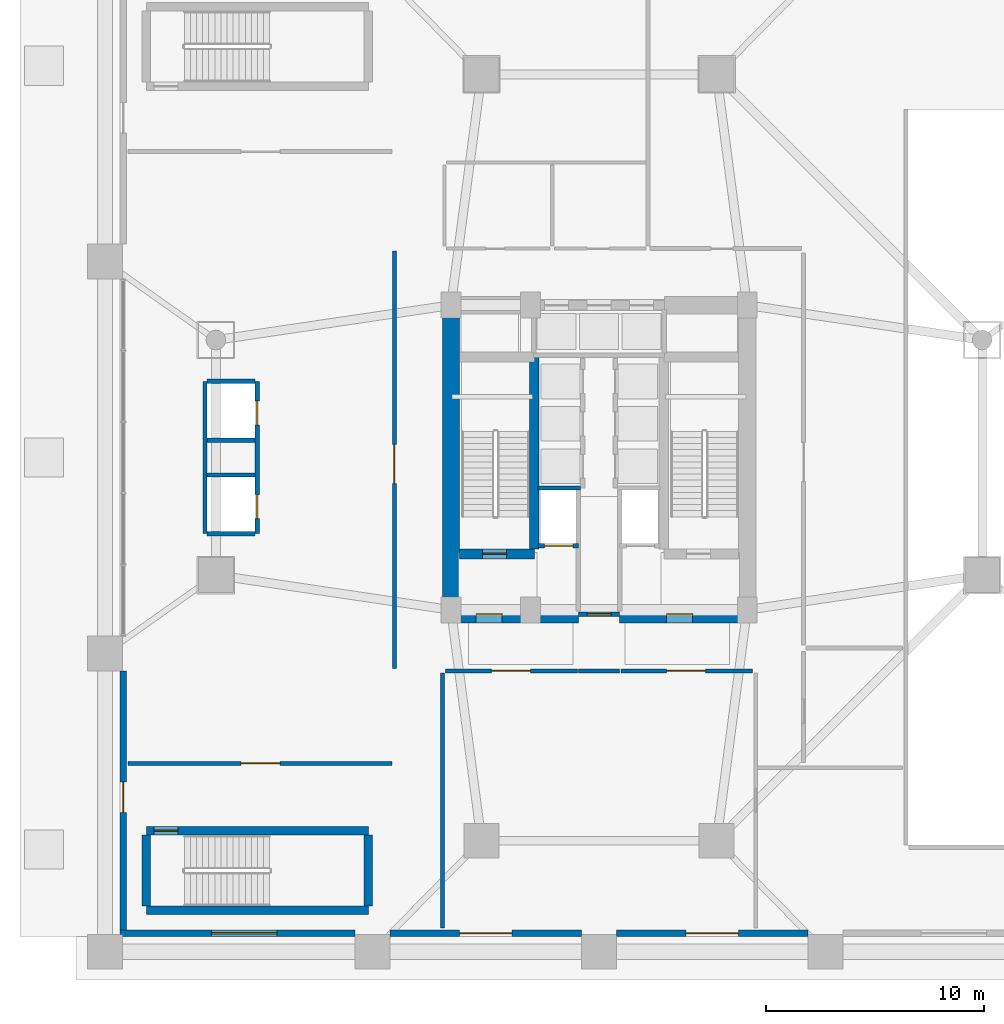
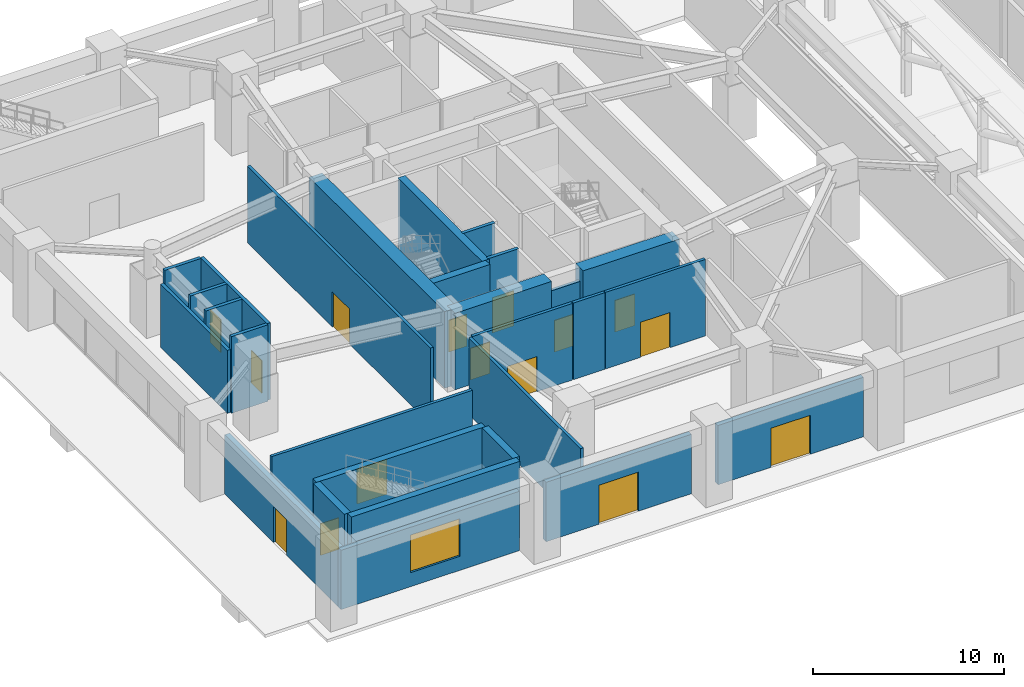
# One storey, part 18 of 27: 28 walls, 15 doors, 1 window, 16 openings.
"""IFC4 building model written with IfcOpenShell, lengths in metres."""

import ifcopenshell
import ifcopenshell.guid

model = None  # the IFC model being written
_history = None  # IfcOwnerHistory: only IFC2X3 demands one
_inside = {}  # id of a spatial element -> (the spatial element, [elements in it])
_under = {}  # id of a project, library or spatial element -> (it, [spatial elements below it])
_declared = {}  # id of a project -> (the project, [libraries it declares])
_typed = {}  # id of a type object -> (the type object, [elements of that type])
_made_of = {}  # id of a material, layer set ... -> (it, [elements and type objects made of it])


def new_model(schema):
    """Start an empty IFC model of exactly this schema.

    Asked for "IFC4X3", IfcOpenShell would pick the latest addendum, in which some entities
    have other attributes; the version numbers below select the first issue.
    IFC2X3 requires an IfcOwnerHistory on every rooted entity: one is made here for all.
    """
    global model, _history
    if schema == "IFC4X3":
        model = ifcopenshell.file(schema_version=(4, 3, 0, 0))
    else:
        model = ifcopenshell.file(schema=schema)
    _inside.clear()
    _under.clear()
    _declared.clear()
    _typed.clear()
    _made_of.clear()
    _history = None
    if model.schema == "IFC2X3":
        org = make("IfcOrganization", Name="unknown")
        user = make(
            "IfcPersonAndOrganization",
            ThePerson=make("IfcPerson", FamilyName="unknown"),
            TheOrganization=org,
        )
        app = make(
            "IfcApplication",
            ApplicationDeveloper=org,
            Version="unknown",
            ApplicationFullName="unknown",
            ApplicationIdentifier="unknown",
        )
        _history = make(
            "IfcOwnerHistory",
            OwningUser=user,
            OwningApplication=app,
            ChangeAction="ADDED",
            CreationDate=0,
        )
    return model


def make(cls, **values):
    """One entity of the class cls with the attributes given. An attribute that is None is left unset."""
    return model.create_entity(
        cls, **{name: value for name, value in values.items() if value is not None}
    )


def rooted(cls, **values):
    """An entity with a GlobalId (a new one), such as an element, a storey or a relation."""
    return make(cls, GlobalId=ifcopenshell.guid.new(), OwnerHistory=_history, **values)


def si_unit(unit_type, name, prefix=None):
    """IfcSIUnit, for example si_unit("LENGTHUNIT", "METRE", prefix="MILLI")."""
    return make("IfcSIUnit", UnitType=unit_type, Prefix=prefix, Name=name)


def assignment(units):
    """IfcUnitAssignment: the units of a project."""
    return None if units is None else make("IfcUnitAssignment", Units=units)


def point(xyz):
    """IfcCartesianPoint."""
    return None if xyz is None else make("IfcCartesianPoint", Coordinates=xyz)


def direction(xyz):
    """IfcDirection."""
    return None if xyz is None else make("IfcDirection", DirectionRatios=xyz)


def frame(location, z_axis=None, x_axis=None):
    """IfcAxis2Placement3D, a coordinate frame: its origin and axes. An axis left out is left unset."""
    return make(
        "IfcAxis2Placement3D",
        Location=point(location),
        Axis=direction(z_axis),
        RefDirection=direction(x_axis),
    )


def frame_2d(location, x_axis=None):
    """IfcAxis2Placement2D, a coordinate frame in the plane: its origin and x axis."""
    return make(
        "IfcAxis2Placement2D", Location=point(location), RefDirection=direction(x_axis)
    )


def origin():
    """The frame at (0, 0, 0) with its axes left unset."""
    return frame((0.0, 0.0, 0.0))


def place(relative_to, where):
    """IfcLocalPlacement: puts the frame where relative to a parent placement (None: the world)."""
    return make(
        "IfcLocalPlacement", PlacementRelTo=relative_to, RelativePlacement=where
    )


def context(
    kind, dimensions, precision=None, world=None, true_north=None, identifier=None
):
    """IfcGeometricRepresentationContext, for example the 3D "Model" context."""
    return make(
        "IfcGeometricRepresentationContext",
        ContextIdentifier=identifier,
        ContextType=kind,
        CoordinateSpaceDimension=dimensions,
        Precision=precision,
        WorldCoordinateSystem=world,
        TrueNorth=true_north,
    )


def subcontext(parent, identifier, kind, view, scale=None):
    """IfcGeometricRepresentationSubContext, for example "Body" below "Model"."""
    return make(
        "IfcGeometricRepresentationSubContext",
        ContextIdentifier=identifier,
        ContextType=kind,
        ParentContext=parent,
        TargetScale=scale,
        TargetView=view,
    )


def project(units=None, contexts=None):
    """IfcProject with its units and contexts."""
    return rooted(
        "IfcProject",
        Name="project",
        RepresentationContexts=contexts,
        UnitsInContext=assignment(units),
    )


def spatial(cls, under=None, at=None, **own):
    """A site, building, storey or space (cls), placed at a placement, below another one or the project."""
    s = rooted(cls, ObjectPlacement=at, **own)
    if under is not None:
        _under.setdefault(under.id(), (under, []))[1].append(s)
    return s


def profile(cls, at=None, kind="AREA", **sizes):
    """A parametric profile (cls). Its sizes go by their IFC names, for example OverallWidth=200.0."""
    return make(cls, ProfileType=kind, Position=at, **sizes)


def rectangle(**sizes):
    """IfcRectangleProfileDef."""
    return profile("IfcRectangleProfileDef", **sizes)


def extrude(swept, where, along, depth):
    """IfcExtrudedAreaSolid: the profile swept, set in the frame where, extruded along a direction by depth."""
    return make(
        "IfcExtrudedAreaSolid",
        SweptArea=swept,
        Position=where,
        ExtrudedDirection=direction(along),
        Depth=depth,
    )


def shape(context_of_items, identifier, shape_type, items):
    """IfcShapeRepresentation: the items that make up one representation, for example the "Body"."""
    return make(
        "IfcShapeRepresentation",
        ContextOfItems=context_of_items,
        RepresentationIdentifier=identifier,
        RepresentationType=shape_type,
        Items=items,
    )


def source(mapping_origin, context_of_items, identifier, shape_type, items):
    """IfcRepresentationMap: a shape defined once, which mapped items show again and again."""
    return make(
        "IfcRepresentationMap",
        MappingOrigin=mapping_origin,
        MappedRepresentation=shape(context_of_items, identifier, shape_type, items),
    )


def transform(
    local_origin,
    x_axis=None,
    y_axis=None,
    z_axis=None,
    scale=None,
    scale2=None,
    scale3=None,
    uniform=True,
):
    """IfcCartesianTransformationOperator3D, or its non-uniform kind. x_axis, y_axis, z_axis: its Axis1, 2, 3."""
    if uniform:
        return make(
            "IfcCartesianTransformationOperator3D",
            Axis1=direction(x_axis),
            Axis2=direction(y_axis),
            LocalOrigin=point(local_origin),
            Scale=scale,
            Axis3=direction(z_axis),
        )
    return make(
        "IfcCartesianTransformationOperator3DnonUniform",
        Axis1=direction(x_axis),
        Axis2=direction(y_axis),
        LocalOrigin=point(local_origin),
        Scale=scale,
        Axis3=direction(z_axis),
        Scale2=scale2,
        Scale3=scale3,
    )


def mapped(mapping_source, mapping_target):
    """IfcMappedItem: shows the shape of a source again, moved by a transform."""
    return make(
        "IfcMappedItem", MappingSource=mapping_source, MappingTarget=mapping_target
    )


def material(Name=None, Category=None):
    """IfcMaterial."""
    return make("IfcMaterial", Name=Name, Category=Category)


def layer(
    of_material, thickness, ventilated=None, Name=None, Category=None, Priority=None
):
    """IfcMaterialLayer: one layer of a wall or slab, of a material (None: an air gap)."""
    return make(
        "IfcMaterialLayer",
        Material=of_material,
        LayerThickness=thickness,
        IsVentilated=ventilated,
        Name=Name,
        Category=Category,
        Priority=Priority,
    )


def layer_set(layers, Name=None):
    """IfcMaterialLayerSet."""
    return make("IfcMaterialLayerSet", MaterialLayers=layers, LayerSetName=Name)


def made_of(thing, what):
    """Note that an element or type object is made of a material, layer set ...; save() writes the relation."""
    if what is not None:
        _made_of.setdefault(what.id(), (what, []))[1].append(thing)
    return thing


def type_object(cls, material=None, **own):
    """A type object (cls), such as IfcWallType, which elements share."""
    return made_of(rooted(cls, **own), material)


def element(
    cls,
    number,
    at=None,
    inside=None,
    cuts=None,
    type_object=None,
    material=None,
    context=None,
    identifier="Body",
    shape_type=None,
    held_by="IfcProductDefinitionShape",
    body=None,
    shapes=None,
    **own,
):
    """One element of the class cls, such as IfcWall. Its Tag is "e" and its number.

    at: its placement. inside: the storey or other place that contains it. cuts: it is an
    opening in that element (IfcRelVoidsElement). A single representation is given by context,
    identifier, shape_type and body (its items); several are given by shapes. held_by: the class
    of the entity that holds the representations. save() writes the other relations.
    """
    e = rooted(cls, Tag="e%d" % number, ObjectPlacement=at, **own)
    if body is not None:
        shapes = [shape(context, identifier, shape_type, body)]
    if shapes is not None:
        e.Representation = make(held_by, Representations=shapes)
    if inside is not None:
        _inside.setdefault(inside.id(), (inside, []))[1].append(e)
    if cuts is not None:
        rooted(
            "IfcRelVoidsElement", RelatingBuildingElement=cuts, RelatedOpeningElement=e
        )
    if type_object is not None:
        _typed.setdefault(type_object.id(), (type_object, []))[1].append(e)
    return made_of(e, material)


def fill(opening, filler):
    """IfcRelFillsElement: the door or window that sits in an opening."""
    return rooted(
        "IfcRelFillsElement",
        RelatingOpeningElement=opening,
        RelatedBuildingElement=filler,
    )


def aggregate(whole, parts):
    """IfcRelAggregates: a whole, such as a stair, and the parts it consists of."""
    return rooted("IfcRelAggregates", RelatingObject=whole, RelatedObjects=parts)


def save(model, path):
    """Write the relations noted so far, then the file.

    IfcRelAggregates (storeys below a building ...), IfcRelContainedInSpatialStructure (elements
    in a storey), IfcRelDefinesByType, IfcRelAssociatesMaterial and IfcRelDeclares: one each for
    every whole, place, type object, material and project.
    """
    for whole, parts in _under.values():
        aggregate(whole, parts)
    for where, things in _inside.values():
        rooted(
            "IfcRelContainedInSpatialStructure",
            RelatedElements=things,
            RelatingStructure=where,
        )
    for kind, things in _typed.values():
        rooted("IfcRelDefinesByType", RelatedObjects=things, RelatingType=kind)
    for what, things in _made_of.values():
        rooted("IfcRelAssociatesMaterial", RelatedObjects=things, RelatingMaterial=what)
    for by, libraries in _declared.values():
        rooted("IfcRelDeclares", RelatingContext=by, RelatedDefinitions=libraries)
    model.write(path)


model = new_model("IFC4")

# Units and contexts
model_context = context("Model", 3, precision=1e-05, world=origin(), true_north=direction((0.0, 1.0)))
body_context = subcontext(model_context, "Body", "Model", "MODEL_VIEW")
ifc_project = project(units=[si_unit("LENGTHUNIT", "METRE"), si_unit("AREAUNIT", "SQUARE_METRE"), si_unit("VOLUMEUNIT", "CUBIC_METRE"), si_unit("PLANEANGLEUNIT", "RADIAN"), si_unit("MASSUNIT", "GRAM", prefix="KILO")], contexts=[model_context])

# Site, building, storey
site_placement = place(None, origin())
site = spatial("IfcSite", under=ifc_project, at=site_placement, CompositionType="ELEMENT")
building_placement = place(site_placement, origin())
building = spatial("IfcBuilding", under=site, at=building_placement, Name="Veraguas Prism Commons", CompositionType="ELEMENT")
storey_placement = place(building_placement, origin())
storey = spatial("IfcBuildingStorey", under=building, at=storey_placement, Name="L00", CompositionType="ELEMENT", Elevation=0.0)

# Wall
ifc_material_1 = material(Name="Concrete C50/60", Category="concrete")
ifc_layer_1 = layer(ifc_material_1, 0.39990234375, Name="Clinic and Mid Core Shear Wall RC 400", Category="concrete")
ifc_layer_set_1 = layer_set([ifc_layer_1], Name="Concrete C50/60")
wall_type_1 = type_object("IfcWallType", Name="Clinic and Mid Core Shear Wall RC 400", PredefinedType="SHEAR", material=ifc_layer_set_1)
wall_1_placement = place(storey_placement, frame((3.199951171875, 3.199951171875, 0.0), z_axis=(0.0, 0.0, 1.0), x_axis=(1.0, 0.0, 0.0)))
element("IfcWall", 1, at=wall_1_placement, inside=storey, type_object=wall_type_1, Name="ST-M1 South Shear Wall L00", PredefinedType="SHEAR", context=body_context, shape_type="SweptSolid", body=[
    extrude(rectangle(XDim=10.199951171875, YDim=0.39990234375, at=frame_2d((5.10009765625, 0.0))), origin(), (0.0, 0.0, 1.0), 4.89990234375),
])

# Wall, opening, door
wall_2_placement = place(storey_placement, frame((3.199951171875, 6.85009765625, 0.0), z_axis=(0.0, 0.0, 1.0), x_axis=(1.0, 0.0, 0.0)))
wall_2 = element("IfcWall", 2, at=wall_2_placement, inside=storey, type_object=wall_type_1, Name="ST-M1 North Shear Wall L00", PredefinedType="SHEAR", context=body_context, shape_type="SweptSolid", body=[
    extrude(rectangle(XDim=10.199951171875, YDim=0.39990234375, at=frame_2d((5.10009765625, 0.0))), origin(), (0.0, 0.0, 1.0), 4.89990234375),
])
opening_1_placement = place(wall_2_placement, frame((0.35009765625, 0.0, 0.0)))
opening_1 = element("IfcOpeningElement", 3, at=opening_1_placement, cuts=wall_2, Name="Opening DR-05", PredefinedType="OPENING", context=body_context, shape_type="SweptSolid", body=[
    extrude(rectangle(XDim=1.10009765625, YDim=2.030029296875, at=frame_2d((0.550048828125, 1.01513671875))), frame((0.0, 0.2099609375, 0.0), z_axis=(0.0, -1.0, 0.0), x_axis=(1.0, 0.0, 0.0)), (0.0, 0.0, 1.0), 0.419921875),
])
ifc_material_2 = material(Name="Steel fire-rated door assembly", Category="steel")
door_type_1 = type_object("IfcDoorType", Name="Protected Stair and Refuge Fire Door 1100x2030", OperationType="NOTDEFINED", PredefinedType="DOOR", material=ifc_material_2)
shared_shape_1 = source(origin(), body_context, "Body", "SweptSolid", [
    extrude(rectangle(XDim=1.10009765625, YDim=2.030029296875, at=frame_2d((0.550048828125, 1.01513671875))), frame((0.0, 0.02490234375, 0.0), z_axis=(0.0, -1.0, 0.0), x_axis=(1.0, 0.0, 0.0)), (0.0, 0.0, 1.0), 0.050048828125),
])
door_1_placement = place(opening_1_placement, origin())
door_1 = element("IfcDoor", 4, at=door_1_placement, inside=storey, type_object=door_type_1, Name="Metro Stair ST-M1 Door L00", OperationType="SINGLE_SWING_LEFT", OverallHeight=2.030029296875, OverallWidth=1.10009765625, PredefinedType="DOOR", context=body_context, shape_type="MappedRepresentation", body=[
    mapped(shared_shape_1, transform((0.0, 0.0, 0.0), scale=1.0)),
])
fill(opening_1, door_1)

# Walls
for number, where, z_axis, x_axis, name in (
    (5, (3.199951171875, 3.39990234375, 0.0), (0.0, 0.0, 1.0), (0.0, 1.0, 0.0), "ST-M1 West Shear Wall L00"),
    (6, (13.39990234375, 3.39990234375, 0.0), (0.0, 0.0, 1.0), (0.0, 1.0, 0.0), "ST-M1 East Shear Wall L00"),
):
    element("IfcWall", number, at=place(storey_placement, frame(where, z_axis=z_axis, x_axis=x_axis)), inside=storey, type_object=wall_type_1, Name=name, PredefinedType="SHEAR", context=body_context, shape_type="SweptSolid", body=[
        extrude(rectangle(XDim=3.25, YDim=0.39990234375, at=frame_2d((1.625, 0.0))), origin(), (0.0, 0.0, 1.0), 4.89990234375),
    ])

# Wall, opening, door
ifc_material_3 = material(Name="Concrete C60/75", Category="concrete")
ifc_layer_2 = layer(ifc_material_3, 0.449951171875, Name="Core Internal Shear Wall Lower RC 450", Category="concrete")
ifc_layer_set_2 = layer_set([ifc_layer_2], Name="Concrete C60/75")
wall_type_2 = type_object("IfcWallType", Name="Core Internal Shear Wall Lower RC 450", PredefinedType="SHEAR", material=ifc_layer_set_2)
wall_3_placement = place(storey_placement, frame((17.60009765625, 19.574951171875, 0.0), z_axis=(0.0, 0.0, 1.0), x_axis=(1.0, 0.0, 0.0)))
wall_3 = element("IfcWall", 7, at=wall_3_placement, inside=storey, type_object=wall_type_2, Name="Stair ST-01 South Shear Wall L00", PredefinedType="SHEAR", context=body_context, shape_type="SweptSolid", body=[
    extrude(rectangle(XDim=3.4248046875, YDim=0.449951171875, at=frame_2d((1.71240234375, 0.0))), origin(), (0.0, 0.0, 1.0), 4.89990234375),
])
opening_2_placement = place(wall_3_placement, frame((1.050048828125, 0.0, 0.0)))
opening_2 = element("IfcOpeningElement", 8, at=opening_2_placement, cuts=wall_3, Name="Opening DR-05", PredefinedType="OPENING", context=body_context, shape_type="SweptSolid", body=[
    extrude(rectangle(XDim=1.10009765625, YDim=2.030029296875, at=frame_2d((0.550048828125, 1.01513671875))), frame((0.0, 0.23486328125, 0.0), z_axis=(0.0, -1.0, 0.0), x_axis=(1.0, 0.0, 0.0)), (0.0, 0.0, 1.0), 0.469970703125),
])
door_2_placement = place(opening_2_placement, origin())
door_2 = element("IfcDoor", 9, at=door_2_placement, inside=storey, type_object=door_type_1, Name="Stair ST-01 Enclosure Door L00", OperationType="SINGLE_SWING_LEFT", OverallHeight=2.030029296875, OverallWidth=1.10009765625, PredefinedType="DOOR", context=body_context, shape_type="MappedRepresentation", body=[
    mapped(shared_shape_1, transform((0.0, 0.0, 0.0), scale=1.0)),
])
fill(opening_2, door_2)

# Walls
wall_4_placement = place(storey_placement, frame((21.02490234375, 19.800048828125, 0.0), z_axis=(0.0, 0.0, 1.0), x_axis=(0.0, 1.0, 0.0)))
element("IfcWall", 10, at=wall_4_placement, inside=storey, type_object=wall_type_2, Name="Stair ST-01 Inner Shear Wall L00", PredefinedType="SHEAR", context=body_context, shape_type="SweptSolid", body=[
    extrude(rectangle(XDim=8.824951171875, YDim=0.449951171875, at=frame_2d((4.41259765625, 0.0))), origin(), (0.0, 0.0, 1.0), 4.89990234375),
])
ifc_layer_3 = layer(ifc_material_3, 0.800048828125, Name="Core Outer Shear Wall Lower RC 800", Category="concrete")
ifc_layer_set_3 = layer_set([ifc_layer_3], Name="Concrete C60/75")
wall_type_3 = type_object("IfcWallType", Name="Core Outer Shear Wall Lower RC 800", PredefinedType="SHEAR", material=ifc_layer_set_3)
wall_5_placement = place(storey_placement, frame((17.199951171875, 16.800048828125, 0.0), z_axis=(0.0, 0.0, 1.0), x_axis=(0.0, 1.0, 0.0)))
element("IfcWall", 11, at=wall_5_placement, inside=storey, type_object=wall_type_3, Name="Central Core West Shear Wall L00", PredefinedType="SHEAR", context=body_context, shape_type="SweptSolid", body=[
    extrude(rectangle(XDim=14.199951171875, YDim=0.800048828125, at=frame_2d((7.10009765625, 0.0))), origin(), (0.0, 0.0, 1.0), 4.89990234375),
])

# Wall, opening, door
wall_6_placement = place(storey_placement, frame((17.199951171875, 16.800048828125, 0.0), z_axis=(0.0, 0.0, 1.0), x_axis=(1.0, 0.0, 0.0)))
wall_6 = element("IfcWall", 12, at=wall_6_placement, inside=storey, type_object=wall_type_3, Name="Central Core South-West Shear Wall L00", PredefinedType="SHEAR", context=body_context, shape_type="SweptSolid", body=[
    extrude(rectangle(XDim=5.85009765625, YDim=0.800048828125, at=frame_2d((2.925048828125, 0.0))), origin(), (0.0, 0.0, 1.0), 4.89990234375),
])
opening_3_placement = place(wall_6_placement, frame((1.14990234375, 0.0, 0.0)))
opening_3 = element("IfcOpeningElement", 13, at=opening_3_placement, cuts=wall_6, Name="Opening DR-06", PredefinedType="OPENING", context=body_context, shape_type="SweptSolid", body=[
    extrude(rectangle(XDim=1.199951171875, YDim=2.030029296875, at=frame_2d((0.60009765625, 1.01513671875))), frame((0.0, 0.409912109375, 0.0), z_axis=(0.0, -1.0, 0.0), x_axis=(1.0, 0.0, 0.0)), (0.0, 0.0, 1.0), 0.820068359375),
])
door_type_2 = type_object("IfcDoorType", Name="Firefighting Lobby Smoke Door 1200x2030", OperationType="NOTDEFINED", PredefinedType="DOOR", material=ifc_material_2)
shared_shape_2 = source(origin(), body_context, "Body", "SweptSolid", [
    extrude(rectangle(XDim=1.199951171875, YDim=2.030029296875, at=frame_2d((0.60009765625, 1.01513671875))), frame((0.0, 0.02490234375, 0.0), z_axis=(0.0, -1.0, 0.0), x_axis=(1.0, 0.0, 0.0)), (0.0, 0.0, 1.0), 0.050048828125),
])
door_3_placement = place(opening_3_placement, origin())
door_3 = element("IfcDoor", 14, at=door_3_placement, inside=storey, type_object=door_type_2, Name="West FF Lobby Door L00", OperationType="SINGLE_SWING_RIGHT", OverallHeight=2.030029296875, OverallWidth=1.199951171875, PredefinedType="DOOR", context=body_context, shape_type="MappedRepresentation", body=[
    mapped(shared_shape_2, transform((0.0, 0.0, 0.0), scale=1.0)),
])
fill(opening_3, door_3)

wall_7_placement = place(storey_placement, frame((24.949951171875, 16.800048828125, 0.0), z_axis=(0.0, 0.0, 1.0), x_axis=(1.0, 0.0, 0.0)))
wall_7 = element("IfcWall", 15, at=wall_7_placement, inside=storey, type_object=wall_type_3, Name="Central Core South-East Shear Wall L00", PredefinedType="SHEAR", context=body_context, shape_type="SweptSolid", body=[
    extrude(rectangle(XDim=5.85009765625, YDim=0.800048828125, at=frame_2d((2.925048828125, 0.0))), origin(), (0.0, 0.0, 1.0), 4.89990234375),
])
opening_4_placement = place(wall_7_placement, frame((2.14990234375, 0.0, 0.0)))
opening_4 = element("IfcOpeningElement", 16, at=opening_4_placement, cuts=wall_7, Name="Opening DR-06", PredefinedType="OPENING", context=body_context, shape_type="SweptSolid", body=[
    extrude(rectangle(XDim=1.199951171875, YDim=2.030029296875, at=frame_2d((0.60009765625, 1.01513671875))), frame((0.0, 0.409912109375, 0.0), z_axis=(0.0, -1.0, 0.0), x_axis=(1.0, 0.0, 0.0)), (0.0, 0.0, 1.0), 0.820068359375),
])
door_4_placement = place(opening_4_placement, origin())
door_4 = element("IfcDoor", 17, at=door_4_placement, inside=storey, type_object=door_type_2, Name="East FF Lobby Door L00", OperationType="SINGLE_SWING_RIGHT", OverallHeight=2.030029296875, OverallWidth=1.199951171875, PredefinedType="DOOR", context=body_context, shape_type="MappedRepresentation", body=[
    mapped(shared_shape_2, transform((0.0, 0.0, 0.0), scale=1.0)),
])
fill(opening_4, door_4)

ifc_material_4 = material(Name="Autoclaved aerated masonry block 10 MPa", Category="masonry")
ifc_layer_4 = layer(ifc_material_4, 0.179931640625, Name="Corridor and Inter-Tenancy Partition 180", Category="masonry")
ifc_layer_set_4 = layer_set([ifc_layer_4], Name="Autoclaved aerated masonry block 10 MPa")
wall_type_4 = type_object("IfcWallType", Name="Corridor and Inter-Tenancy Partition 180", PredefinedType="PARTITIONING", material=ifc_layer_set_4)
wall_8_placement = place(storey_placement, frame((2.35009765625, 9.949951171875, 0.0), z_axis=(0.0, 0.0, 1.0), x_axis=(1.0, 0.0, 0.0)))
wall_8 = element("IfcWall", 18, at=wall_8_placement, inside=storey, type_object=wall_type_4, Name="WL-L00-MPAS1", PredefinedType="PARTITIONING", context=body_context, shape_type="SweptSolid", body=[
    extrude(rectangle(XDim=12.1298828125, YDim=0.179931640625, at=frame_2d((6.06494140625, 0.0))), origin(), (0.0, 0.0, 1.0), 4.89990234375),
])
opening_5_placement = place(wall_8_placement, frame((5.199951171875, 0.0, 0.0)))
opening_5 = element("IfcOpeningElement", 19, at=opening_5_placement, cuts=wall_8, Name="Opening DR-07", PredefinedType="OPENING", context=body_context, shape_type="SweptSolid", body=[
    extrude(rectangle(XDim=1.800048828125, YDim=2.25, at=frame_2d((0.89990234375, 1.125))), frame((0.0, 0.099853515625, 0.0), z_axis=(0.0, -1.0, 0.0), x_axis=(1.0, 0.0, 0.0)), (0.0, 0.0, 1.0), 0.199951171875),
])
door_type_3 = type_object("IfcDoorType", Name="Corridor Double Fire Door 1800x2250", OperationType="NOTDEFINED", PredefinedType="DOOR", material=ifc_material_2)
shared_shape_3 = source(origin(), body_context, "Body", "SweptSolid", [
    extrude(rectangle(XDim=1.800048828125, YDim=2.25, at=frame_2d((0.89990234375, 1.125))), frame((0.0, 0.02490234375, 0.0), z_axis=(0.0, -1.0, 0.0), x_axis=(1.0, 0.0, 0.0)), (0.0, 0.0, 1.0), 0.050048828125),
])
door_5_placement = place(opening_5_placement, origin())
door_5 = element("IfcDoor", 20, at=door_5_placement, inside=storey, type_object=door_type_3, Name="Metro South Passage Fire Door L00", OperationType="SINGLE_SWING_LEFT", OverallHeight=2.25, OverallWidth=1.800048828125, PredefinedType="DOOR", context=body_context, shape_type="MappedRepresentation", body=[
    mapped(shared_shape_3, transform((0.0, 0.0, 0.0), scale=1.0)),
])
fill(opening_5, door_5)

wall_9_placement = place(storey_placement, frame((16.949951171875, 14.199951171875, 0.0), z_axis=(0.0, 0.0, 1.0), x_axis=(1.0, 0.0, 0.0)))
wall_9 = element("IfcWall", 21, at=wall_9_placement, inside=storey, type_object=wall_type_4, Name="WL-L00-EPASN1", PredefinedType="PARTITIONING", context=body_context, shape_type="SweptSolid", body=[
    extrude(rectangle(XDim=6.050048828125, YDim=0.179931640625, at=frame_2d((3.02490234375, 0.0))), origin(), (0.0, 0.0, 1.0), 4.89990234375),
])
opening_6_placement = place(wall_9_placement, frame((2.10009765625, 0.0, 0.0)))
opening_6 = element("IfcOpeningElement", 22, at=opening_6_placement, cuts=wall_9, Name="Opening DR-07", PredefinedType="OPENING", context=body_context, shape_type="SweptSolid", body=[
    extrude(rectangle(XDim=1.800048828125, YDim=2.25, at=frame_2d((0.89990234375, 1.125))), frame((0.0, 0.099853515625, 0.0), z_axis=(0.0, -1.0, 0.0), x_axis=(1.0, 0.0, 0.0)), (0.0, 0.0, 1.0), 0.199951171875),
])
door_6_placement = place(opening_6_placement, origin())
door_6 = element("IfcDoor", 23, at=door_6_placement, inside=storey, type_object=door_type_3, Name="Tower Exit Passage West Fire Door L00", OperationType="SINGLE_SWING_LEFT", OverallHeight=2.25, OverallWidth=1.800048828125, PredefinedType="DOOR", context=body_context, shape_type="MappedRepresentation", body=[
    mapped(shared_shape_3, transform((0.0, 0.0, 0.0), scale=1.0)),
])
fill(opening_6, door_6)

wall_10_placement = place(storey_placement, frame((25.0, 14.199951171875, 0.0), z_axis=(0.0, 0.0, 1.0), x_axis=(1.0, 0.0, 0.0)))
wall_10 = element("IfcWall", 24, at=wall_10_placement, inside=storey, type_object=wall_type_4, Name="WL-L00-EPASN2", PredefinedType="PARTITIONING", context=body_context, shape_type="SweptSolid", body=[
    extrude(rectangle(XDim=6.050048828125, YDim=0.179931640625, at=frame_2d((3.02490234375, 0.0))), origin(), (0.0, 0.0, 1.0), 4.89990234375),
])
opening_7_placement = place(wall_10_placement, frame((2.10009765625, 0.0, 0.0)))
opening_7 = element("IfcOpeningElement", 25, at=opening_7_placement, cuts=wall_10, Name="Opening DR-07", PredefinedType="OPENING", context=body_context, shape_type="SweptSolid", body=[
    extrude(rectangle(XDim=1.800048828125, YDim=2.25, at=frame_2d((0.89990234375, 1.125))), frame((0.0, 0.099853515625, 0.0), z_axis=(0.0, -1.0, 0.0), x_axis=(1.0, 0.0, 0.0)), (0.0, 0.0, 1.0), 0.199951171875),
])
door_7_placement = place(opening_7_placement, origin())
door_7 = element("IfcDoor", 26, at=door_7_placement, inside=storey, type_object=door_type_3, Name="Tower Exit Passage East Fire Door L00", OperationType="SINGLE_SWING_RIGHT", OverallHeight=2.25, OverallWidth=1.800048828125, PredefinedType="DOOR", context=body_context, shape_type="MappedRepresentation", body=[
    mapped(shared_shape_3, transform((0.0, 0.0, 0.0), scale=1.0)),
])
fill(opening_7, door_7)

# Wall
wall_11_placement = place(storey_placement, frame((23.050048828125, 14.199951171875, 0.0), z_axis=(0.0, 0.0, 1.0), x_axis=(1.0, 0.0, 0.0)))
element("IfcWall", 27, at=wall_11_placement, inside=storey, type_object=wall_type_4, Name="WL-L00-EPASNM", PredefinedType="PARTITIONING", context=body_context, shape_type="SweptSolid", body=[
    extrude(rectangle(XDim=1.89990234375, YDim=0.179931640625, at=frame_2d((0.949951171875, 0.0))), origin(), (0.0, 0.0, 1.0), 4.89990234375),
])

# Wall, opening, door
wall_12_placement = place(storey_placement, frame((14.60009765625, 14.300048828125, 0.0), z_axis=(0.0, 0.0, 1.0), x_axis=(0.0, 1.0, 0.0)))
wall_12 = element("IfcWall", 28, at=wall_12_placement, inside=storey, type_object=wall_type_4, Name="WL-L00-PT01", PredefinedType="PARTITIONING", context=body_context, shape_type="SweptSolid", body=[
    extrude(rectangle(XDim=19.199951171875, YDim=0.179931640625, at=frame_2d((9.60009765625, 0.0))), origin(), (0.0, 0.0, 1.0), 4.89990234375),
])
opening_8_placement = place(wall_12_placement, frame((8.5, 0.0, 0.0)))
opening_8 = element("IfcOpeningElement", 29, at=opening_8_placement, cuts=wall_12, Name="Opening DR-07", PredefinedType="OPENING", context=body_context, shape_type="SweptSolid", body=[
    extrude(rectangle(XDim=1.800048828125, YDim=2.25, at=frame_2d((0.89990234375, 1.125))), frame((0.0, 0.099853515625, 0.0), z_axis=(0.0, -1.0, 0.0), x_axis=(1.0, 0.0, 0.0)), (0.0, 0.0, 1.0), 0.199951171875),
])
door_8_placement = place(opening_8_placement, origin())
door_8 = element("IfcDoor", 30, at=door_8_placement, inside=storey, type_object=door_type_3, Name="Concourse Hall Door L00", OperationType="SINGLE_SWING_LEFT", OverallHeight=2.25, OverallWidth=1.800048828125, PredefinedType="DOOR", context=body_context, shape_type="MappedRepresentation", body=[
    mapped(shared_shape_3, transform((0.0, 0.0, 0.0), scale=1.0)),
])
fill(opening_8, door_8)

# Wall
wall_13_placement = place(storey_placement, frame((16.800048828125, 2.39990234375, 0.0), z_axis=(0.0, 0.0, 1.0), x_axis=(0.0, 1.0, 0.0)))
element("IfcWall", 31, at=wall_13_placement, inside=storey, type_object=wall_type_4, Name="WL-L00-PT02", PredefinedType="PARTITIONING", context=body_context, shape_type="SweptSolid", body=[
    extrude(rectangle(XDim=11.7001953125, YDim=0.179931640625, at=frame_2d((5.85009765625, 0.0))), origin(), (0.0, 0.0, 1.0), 4.89990234375),
])

# Wall, opening, window
ifc_material_5 = material(Name="Precast concrete C40/50", Category="concrete")
ifc_layer_5 = layer(ifc_material_5, 0.300048828125, Name="External Precast Facade Wall 300", Category="concrete")
ifc_layer_set_5 = layer_set([ifc_layer_5], Name="Precast concrete C40/50")
wall_type_5 = type_object("IfcWallType", Name="External Precast Facade Wall 300", PredefinedType="SOLIDWALL", material=ifc_layer_set_5)
wall_14_placement = place(storey_placement, frame((2.0, 2.14990234375, 0.0), z_axis=(0.0, 0.0, 1.0), x_axis=(1.0, 0.0, 0.0)))
wall_14 = element("IfcWall", 32, at=wall_14_placement, inside=storey, type_object=wall_type_5, Name="Podium South Facade Wall L00-01", PredefinedType="SOLIDWALL", context=body_context, shape_type="SweptSolid", body=[
    extrude(rectangle(XDim=10.800048828125, YDim=0.300048828125, at=frame_2d((5.39990234375, 0.0))), origin(), (0.0, 0.0, 1.0), 3.800048828125),
])
opening_9_placement = place(wall_14_placement, frame((4.199951171875, 0.0, 0.89990234375)))
opening_9 = element("IfcOpeningElement", 33, at=opening_9_placement, cuts=wall_14, Name="Opening WN-04", PredefinedType="OPENING", context=body_context, shape_type="SweptSolid", body=[
    extrude(rectangle(XDim=3.0, YDim=2.39990234375, at=frame_2d((1.5, 1.199951171875))), frame((0.0, 0.159912109375, 0.0), z_axis=(0.0, -1.0, 0.0), x_axis=(1.0, 0.0, 0.0)), (0.0, 0.0, 1.0), 0.320068359375),
])
ifc_material_6 = material(Name="Laminated low-e glass", Category="glass")
window_type = type_object("IfcWindowType", Name="Station Concourse Clerestory Window 3000x2400", PartitioningType="DOUBLE_PANEL_VERTICAL", PredefinedType="WINDOW", material=ifc_material_6)
shared_shape_4 = source(origin(), body_context, "Body", "SweptSolid", [
    extrude(rectangle(XDim=3.0, YDim=2.39990234375, at=frame_2d((1.5, 1.199951171875))), frame((0.0, 0.030029296875, 0.0), z_axis=(0.0, -1.0, 0.0), x_axis=(1.0, 0.0, 0.0)), (0.0, 0.0, 1.0), 0.06005859375),
])
window_placement = place(opening_9_placement, origin())
window = element("IfcWindow", 34, at=window_placement, inside=storey, type_object=window_type, Name="Podium Window L00-S01", OverallHeight=2.39990234375, OverallWidth=3.0, PartitioningType="DOUBLE_PANEL_VERTICAL", PredefinedType="WINDOW", context=body_context, shape_type="MappedRepresentation", body=[
    mapped(shared_shape_4, transform((0.0, 0.0, 0.0), scale=1.0)),
])
fill(opening_9, window)

# Wall, opening, door
wall_15_placement = place(storey_placement, frame((14.39990234375, 2.14990234375, 0.0), z_axis=(0.0, 0.0, 1.0), x_axis=(1.0, 0.0, 0.0)))
wall_15 = element("IfcWall", 35, at=wall_15_placement, inside=storey, type_object=wall_type_5, Name="Podium South Facade Wall L00-02", PredefinedType="SOLIDWALL", context=body_context, shape_type="SweptSolid", body=[
    extrude(rectangle(XDim=8.800048828125, YDim=0.300048828125, at=frame_2d((4.39990234375, 0.0))), origin(), (0.0, 0.0, 1.0), 3.800048828125),
])
opening_10_placement = place(wall_15_placement, frame((3.199951171875, 0.0, 0.0)))
opening_10 = element("IfcOpeningElement", 36, at=opening_10_placement, cuts=wall_15, Name="Opening DR-08", PredefinedType="OPENING", context=body_context, shape_type="SweptSolid", body=[
    extrude(rectangle(XDim=2.39990234375, YDim=2.5, at=frame_2d((1.199951171875, 1.25))), frame((0.0, 0.159912109375, 0.0), z_axis=(0.0, -1.0, 0.0), x_axis=(1.0, 0.0, 0.0)), (0.0, 0.0, 1.0), 0.320068359375),
])
ifc_material_7 = material(Name="Anodised aluminium EN AW-6063 T6", Category="aluminium")
door_type_4 = type_object("IfcDoorType", Name="Plaza Main Double Entrance Door 2400x2500", OperationType="NOTDEFINED", PredefinedType="DOOR", material=ifc_material_7)
shared_shape_5 = source(origin(), body_context, "Body", "SweptSolid", [
    extrude(rectangle(XDim=2.39990234375, YDim=2.5, at=frame_2d((1.199951171875, 1.25))), frame((0.0, 0.02490234375, 0.0), z_axis=(0.0, -1.0, 0.0), x_axis=(1.0, 0.0, 0.0)), (0.0, 0.0, 1.0), 0.050048828125),
])
door_9_placement = place(opening_10_placement, frame((2.39990234375, 0.0, 0.0), z_axis=(0.0, 0.0, 1.0), x_axis=(-1.0, 0.0, 0.0)))
door_9 = element("IfcDoor", 37, at=door_9_placement, inside=storey, type_object=door_type_4, Name="Tower South Exit Discharge Door 1", OperationType="DOUBLE_SWING_LEFT", OverallHeight=2.5, OverallWidth=2.39990234375, PredefinedType="DOOR", context=body_context, shape_type="MappedRepresentation", body=[
    mapped(shared_shape_5, transform((0.0, 0.0, 0.0), scale=1.0)),
])
fill(opening_10, door_9)

wall_16_placement = place(storey_placement, frame((24.800048828125, 2.14990234375, 0.0), z_axis=(0.0, 0.0, 1.0), x_axis=(1.0, 0.0, 0.0)))
wall_16 = element("IfcWall", 38, at=wall_16_placement, inside=storey, type_object=wall_type_5, Name="Podium South Facade Wall L00-03", PredefinedType="SOLIDWALL", context=body_context, shape_type="SweptSolid", body=[
    extrude(rectangle(XDim=8.800048828125, YDim=0.300048828125, at=frame_2d((4.39990234375, 0.0))), origin(), (0.0, 0.0, 1.0), 3.800048828125),
])
opening_11_placement = place(wall_16_placement, frame((3.199951171875, 0.0, 0.0)))
opening_11 = element("IfcOpeningElement", 39, at=opening_11_placement, cuts=wall_16, Name="Opening DR-08", PredefinedType="OPENING", context=body_context, shape_type="SweptSolid", body=[
    extrude(rectangle(XDim=2.39990234375, YDim=2.5, at=frame_2d((1.199951171875, 1.25))), frame((0.0, 0.159912109375, 0.0), z_axis=(0.0, -1.0, 0.0), x_axis=(1.0, 0.0, 0.0)), (0.0, 0.0, 1.0), 0.320068359375),
])
door_10_placement = place(opening_11_placement, frame((2.39990234375, 0.0, 0.0), z_axis=(0.0, 0.0, 1.0), x_axis=(-1.0, 0.0, 0.0)))
door_10 = element("IfcDoor", 40, at=door_10_placement, inside=storey, type_object=door_type_4, Name="Tower South Exit Discharge Door 2", OperationType="DOUBLE_SWING_LEFT", OverallHeight=2.5, OverallWidth=2.39990234375, PredefinedType="DOOR", context=body_context, shape_type="MappedRepresentation", body=[
    mapped(shared_shape_5, transform((0.0, 0.0, 0.0), scale=1.0)),
])
fill(opening_11, door_10)

wall_17_placement = place(storey_placement, frame((2.14990234375, 14.199951171875, 0.0), z_axis=(0.0, 0.0, 1.0), x_axis=(0.0, -1.0, 0.0)))
wall_17 = element("IfcWall", 41, at=wall_17_placement, inside=storey, type_object=wall_type_5, Name="Podium West Facade Wall L00-03", PredefinedType="SOLIDWALL", context=body_context, shape_type="SweptSolid", body=[
    extrude(rectangle(XDim=11.89990234375, YDim=0.300048828125, at=frame_2d((5.949951171875, 0.0))), origin(), (0.0, 0.0, 1.0), 3.800048828125),
])
opening_12_placement = place(wall_17_placement, frame((5.10009765625, 0.0, 0.0)))
opening_12 = element("IfcOpeningElement", 42, at=opening_12_placement, cuts=wall_17, Name="Opening DR-09", PredefinedType="OPENING", context=body_context, shape_type="SweptSolid", body=[
    extrude(rectangle(XDim=1.39990234375, YDim=2.300048828125, at=frame_2d((0.699951171875, 1.14990234375))), frame((0.0, 0.159912109375, 0.0), z_axis=(0.0, -1.0, 0.0), x_axis=(1.0, 0.0, 0.0)), (0.0, 0.0, 1.0), 0.320068359375),
])
door_type_5 = type_object("IfcDoorType", Name="Exterior Stair Discharge Door 1400x2300", OperationType="NOTDEFINED", PredefinedType="DOOR", material=ifc_material_7)
shared_shape_6 = source(origin(), body_context, "Body", "SweptSolid", [
    extrude(rectangle(XDim=1.39990234375, YDim=2.300048828125, at=frame_2d((0.699951171875, 1.14990234375))), frame((0.0, 0.02490234375, 0.0), z_axis=(0.0, -1.0, 0.0), x_axis=(1.0, 0.0, 0.0)), (0.0, 0.0, 1.0), 0.050048828125),
])
door_11_placement = place(opening_12_placement, frame((1.39990234375, 0.0, 0.0), z_axis=(0.0, 0.0, 1.0), x_axis=(-1.0, 0.0, 0.0)))
door_11 = element("IfcDoor", 43, at=door_11_placement, inside=storey, type_object=door_type_5, Name="Metro Stair West Exit Discharge Door 3", OperationType="SINGLE_SWING_LEFT", OverallHeight=2.300048828125, OverallWidth=1.39990234375, PredefinedType="DOOR", context=body_context, shape_type="MappedRepresentation", body=[
    mapped(shared_shape_6, transform((0.0, 0.0, 0.0), scale=1.0)),
])
fill(opening_12, door_11)

ifc_layer_6 = layer(ifc_material_4, 0.199951171875, Name="Rated Shaft and Lobby Block Wall 200", Category="masonry")
ifc_layer_set_6 = layer_set([ifc_layer_6], Name="Autoclaved aerated masonry block 10 MPa")
wall_type_6 = type_object("IfcWallType", Name="Rated Shaft and Lobby Block Wall 200", PredefinedType="SOLIDWALL", material=ifc_layer_set_6)
wall_18_placement = place(storey_placement, frame((23.050048828125, 16.800048828125, 0.0), z_axis=(0.0, 0.0, 1.0), x_axis=(1.0, 0.0, 0.0)))
wall_18 = element("IfcWall", 44, at=wall_18_placement, inside=storey, type_object=wall_type_6, Name="Central Core Lobby Entrance Wall L00", PredefinedType="SOLIDWALL", context=body_context, shape_type="SweptSolid", body=[
    extrude(rectangle(XDim=1.89990234375, YDim=0.199951171875, at=frame_2d((0.949951171875, 0.0))), origin(), (0.0, 0.0, 1.0), 4.050048828125),
])
opening_13_placement = place(wall_18_placement, frame((0.39990234375, 0.0, 0.0)))
opening_13 = element("IfcOpeningElement", 45, at=opening_13_placement, cuts=wall_18, Name="Opening DR-05", PredefinedType="OPENING", context=body_context, shape_type="SweptSolid", body=[
    extrude(rectangle(XDim=1.10009765625, YDim=2.030029296875, at=frame_2d((0.550048828125, 1.01513671875))), frame((0.0, 0.10986328125, 0.0), z_axis=(0.0, -1.0, 0.0), x_axis=(1.0, 0.0, 0.0)), (0.0, 0.0, 1.0), 0.219970703125),
])
door_12_placement = place(opening_13_placement, origin())
door_12 = element("IfcDoor", 46, at=door_12_placement, inside=storey, type_object=door_type_1, Name="Central Lobby Door L00", OperationType="SINGLE_SWING_LEFT", OverallHeight=2.030029296875, OverallWidth=1.10009765625, PredefinedType="DOOR", context=body_context, shape_type="MappedRepresentation", body=[
    mapped(shared_shape_1, transform((0.0, 0.0, 0.0), scale=1.0)),
])
fill(opening_13, door_12)

wall_19_placement = place(storey_placement, frame((21.199951171875, 19.949951171875, 0.0), z_axis=(0.0, 0.0, 1.0), x_axis=(1.0, 0.0, 0.0)))
wall_19 = element("IfcWall", 47, at=wall_19_placement, inside=storey, type_object=wall_type_6, Name="Firefighting Lift FFL-1 Front Wall L00", PredefinedType="SOLIDWALL", context=body_context, shape_type="SweptSolid", body=[
    extrude(rectangle(XDim=1.85009765625, YDim=0.199951171875, at=frame_2d((0.925048828125, 0.0))), origin(), (0.0, 0.0, 1.0), 4.89990234375),
])
opening_14_placement = place(wall_19_placement, frame((0.300048828125, 0.0, 0.0)))
opening_14 = element("IfcOpeningElement", 48, at=opening_14_placement, cuts=wall_19, Name="Opening LD-02", PredefinedType="OPENING", context=body_context, shape_type="SweptSolid", body=[
    extrude(rectangle(XDim=1.300048828125, YDim=2.25, at=frame_2d((0.64990234375, 1.125))), frame((0.0, 0.10986328125, 0.0), z_axis=(0.0, -1.0, 0.0), x_axis=(1.0, 0.0, 0.0)), (0.0, 0.0, 1.0), 0.219970703125),
])
ifc_material_8 = material(Name="Stainless steel AISI 316", Category="steel")
door_type_6 = type_object("IfcDoorType", Name="Firefighting Lift Sliding Landing Door 1300x2250", OperationType="NOTDEFINED", PredefinedType="DOOR", material=ifc_material_8)
shared_shape_7 = source(origin(), body_context, "Body", "SweptSolid", [
    extrude(rectangle(XDim=1.300048828125, YDim=2.25, at=frame_2d((0.64990234375, 1.125))), frame((0.0, 0.02490234375, 0.0), z_axis=(0.0, -1.0, 0.0), x_axis=(1.0, 0.0, 0.0)), (0.0, 0.0, 1.0), 0.050048828125),
])
door_13_placement = place(opening_14_placement, origin())
door_13 = element("IfcDoor", 49, at=door_13_placement, inside=storey, type_object=door_type_6, Name="Firefighting Lift FFL-1 Landing Door L00", OperationType="SLIDING_TO_LEFT", OverallHeight=2.25, OverallWidth=1.300048828125, PredefinedType="DOOR", context=body_context, shape_type="MappedRepresentation", body=[
    mapped(shared_shape_7, transform((0.0, 0.0, 0.0), scale=1.0)),
])
fill(opening_14, door_13)

# Wall
wall_20_placement = place(storey_placement, frame((21.199951171875, 22.60009765625, 0.0), z_axis=(0.0, 0.0, 1.0), x_axis=(1.0, 0.0, 0.0)))
element("IfcWall", 50, at=wall_20_placement, inside=storey, type_object=wall_type_6, Name="Firefighting Lift FFL-1 Rear Wall L00", PredefinedType="SOLIDWALL", context=body_context, shape_type="SweptSolid", body=[
    extrude(rectangle(XDim=1.949951171875, YDim=0.199951171875, at=frame_2d((0.97509765625, 0.0))), origin(), (0.0, 0.0, 1.0), 4.89990234375),
])

# Wall, openings, doors
wall_21_placement = place(storey_placement, frame((8.300048828125, 20.5, 0.0), z_axis=(0.0, 0.0, 1.0), x_axis=(0.0, 1.0, 0.0)))
wall_21 = element("IfcWall", 51, at=wall_21_placement, inside=storey, type_object=wall_type_6, Name="Metro Lift Shaft Front Wall L00", PredefinedType="SOLIDWALL", context=body_context, shape_type="SweptSolid", body=[
    extrude(rectangle(XDim=7.0, YDim=0.199951171875, at=frame_2d((3.5, 0.0))), origin(), (0.0, 0.0, 1.0), 4.89990234375),
])
opening_15_placement = place(wall_21_placement, frame((0.699951171875, 0.0, 0.0)))
opening_15 = element("IfcOpeningElement", 52, at=opening_15_placement, cuts=wall_21, Name="Opening LD-01", PredefinedType="OPENING", context=body_context, shape_type="SweptSolid", body=[
    extrude(rectangle(XDim=1.10009765625, YDim=2.080078125, at=frame_2d((0.550048828125, 1.0400390625))), frame((0.0, 0.10986328125, 0.0), z_axis=(0.0, -1.0, 0.0), x_axis=(1.0, 0.0, 0.0)), (0.0, 0.0, 1.0), 0.219970703125),
])
opening_16_placement = place(wall_21_placement, frame((5.0, 0.0, 0.0)))
opening_16 = element("IfcOpeningElement", 53, at=opening_16_placement, cuts=wall_21, Name="Opening LD-01", PredefinedType="OPENING", context=body_context, shape_type="SweptSolid", body=[
    extrude(rectangle(XDim=1.10009765625, YDim=2.080078125, at=frame_2d((0.550048828125, 1.0400390625))), frame((0.0, 0.10986328125, 0.0), z_axis=(0.0, -1.0, 0.0), x_axis=(1.0, 0.0, 0.0)), (0.0, 0.0, 1.0), 0.219970703125),
])
door_type_7 = type_object("IfcDoorType", Name="Passenger Lift Sliding Landing Door 1100x2080", OperationType="NOTDEFINED", PredefinedType="DOOR", material=ifc_material_8)
shared_shape_8 = source(origin(), body_context, "Body", "SweptSolid", [
    extrude(rectangle(XDim=1.10009765625, YDim=2.080078125, at=frame_2d((0.550048828125, 1.0400390625))), frame((0.0, 0.02490234375, 0.0), z_axis=(0.0, -1.0, 0.0), x_axis=(1.0, 0.0, 0.0)), (0.0, 0.0, 1.0), 0.050048828125),
])
door_14_placement = place(opening_15_placement, origin())
door_14 = element("IfcDoor", 54, at=door_14_placement, inside=storey, type_object=door_type_7, Name="Metro Lift ML-1 Landing Door L00", OperationType="SLIDING_TO_LEFT", OverallHeight=2.080078125, OverallWidth=1.10009765625, PredefinedType="DOOR", context=body_context, shape_type="MappedRepresentation", body=[
    mapped(shared_shape_8, transform((0.0, 0.0, 0.0), scale=1.0)),
])
fill(opening_15, door_14)
door_15_placement = place(opening_16_placement, origin())
door_15 = element("IfcDoor", 55, at=door_15_placement, inside=storey, type_object=door_type_7, Name="Metro Lift ML-2 Landing Door L00", OperationType="SLIDING_TO_LEFT", OverallHeight=2.080078125, OverallWidth=1.10009765625, PredefinedType="DOOR", context=body_context, shape_type="MappedRepresentation", body=[
    mapped(shared_shape_8, transform((0.0, 0.0, 0.0), scale=1.0)),
])
fill(opening_16, door_15)

# Walls
wall_22_placement = place(storey_placement, frame((5.89990234375, 20.5, 0.0), z_axis=(0.0, 0.0, 1.0), x_axis=(0.0, 1.0, 0.0)))
element("IfcWall", 56, at=wall_22_placement, inside=storey, type_object=wall_type_6, Name="Metro Lift Shaft Rear Wall L00", PredefinedType="SOLIDWALL", context=body_context, shape_type="SweptSolid", body=[
    extrude(rectangle(XDim=7.0, YDim=0.199951171875, at=frame_2d((3.5, 0.0))), origin(), (0.0, 0.0, 1.0), 4.031982421875),
])
for number, where, z_axis, x_axis, name in (
    (57, (6.0, 20.5, 0.0), (0.0, 0.0, 1.0), (1.0, 0.0, 0.0), "Metro Lift Shaft South Wall L00"),
    (58, (6.0, 27.5, 0.0), (0.0, 0.0, 1.0), (1.0, 0.0, 0.0), "Metro Lift Shaft North Wall L00"),
    (59, (6.0, 23.199951171875, 0.0), (0.0, 0.0, 1.0), (1.0, 0.0, 0.0), "Metro Lift ML-1 North Divider Wall L00"),
    (60, (6.0, 24.800048828125, 0.0), (0.0, 0.0, 1.0), (1.0, 0.0, 0.0), "Metro Lift ML-2 South Divider Wall L00"),
):
    element("IfcWall", number, at=place(storey_placement, frame(where, z_axis=z_axis, x_axis=x_axis)), inside=storey, type_object=wall_type_6, Name=name, PredefinedType="SOLIDWALL", context=body_context, shape_type="SweptSolid", body=[
        extrude(rectangle(XDim=2.199951171875, YDim=0.199951171875, at=frame_2d((1.10009765625, 0.0))), origin(), (0.0, 0.0, 1.0), 4.89990234375),
    ])

save(model, "model.ifc")
